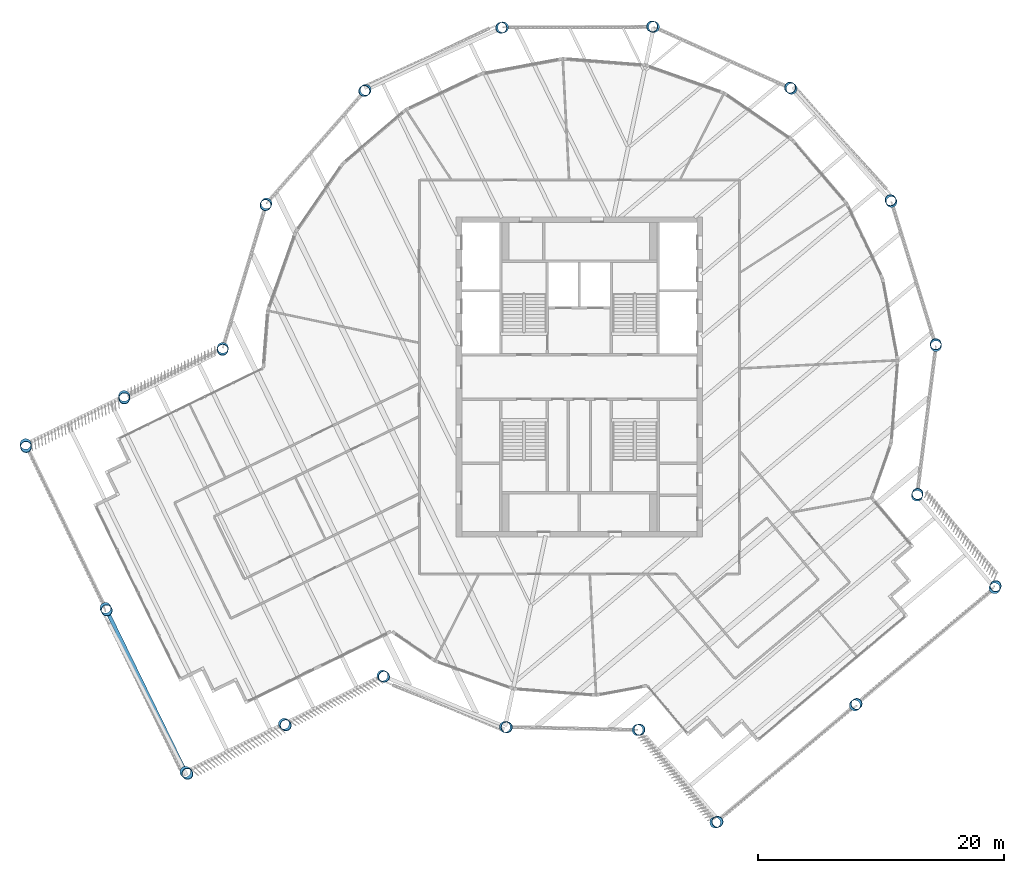
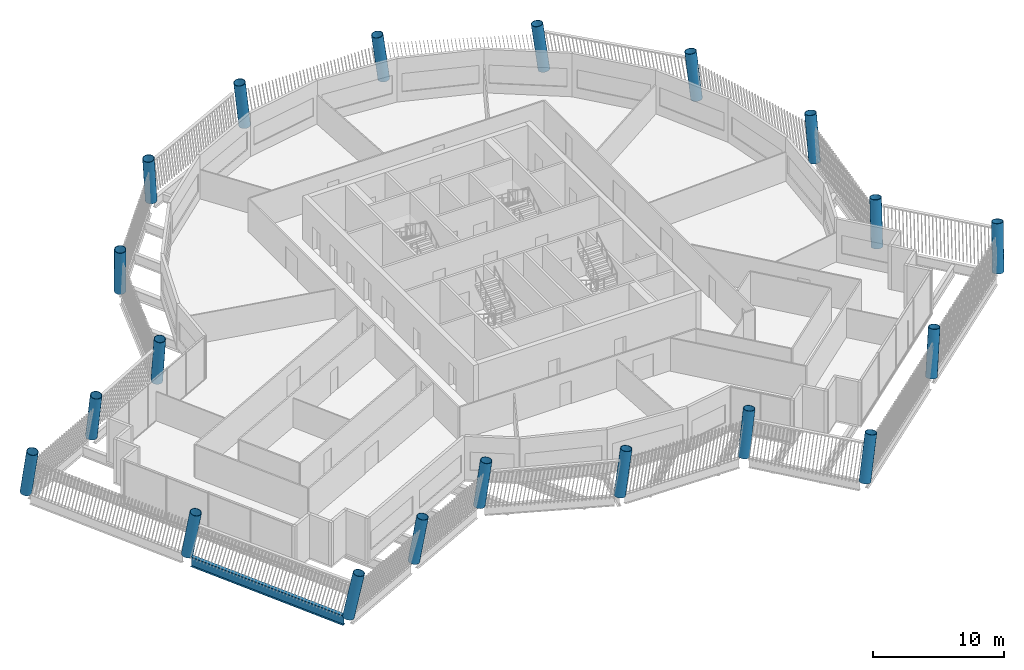
# One storey, part 1 of 31: 20 columns, 1 beam.
"""IFC4 building model written with IfcOpenShell, lengths in metres."""

from ifc_helpers import new_model, si_unit, direction, frame, origin, origin_2d, place, context, subcontext, project, spatial, hollow_circle, i_section, extrude, material, material_profile, profile_set, type_object, element, save


model = new_model("IFC4")

# Units and contexts
model_context = context("Model", 3, precision=1e-05, world=origin(), true_north=direction((0.0, 1.0)))
body_context = subcontext(model_context, "Body", "Model", "MODEL_VIEW")
ifc_project = project(units=[si_unit("LENGTHUNIT", "METRE"), si_unit("AREAUNIT", "SQUARE_METRE"), si_unit("VOLUMEUNIT", "CUBIC_METRE"), si_unit("PLANEANGLEUNIT", "RADIAN"), si_unit("MASSUNIT", "GRAM", prefix="KILO")], contexts=[model_context])

# Site, building, storey
site_placement = place(None, origin())
site = spatial("IfcSite", under=ifc_project, at=site_placement, CompositionType="ELEMENT")
building_placement = place(site_placement, origin())
building = spatial("IfcBuilding", under=site, at=building_placement, Name="Tarsis Ring Headquarters", CompositionType="ELEMENT")
storey_placement = place(building_placement, frame((0.0, 0.0, 390.199951171875)))
storey = spatial("IfcBuildingStorey", under=building, at=storey_placement, Name="L92", CompositionType="ELEMENT", Elevation=390.199951171875)

# Columns
ifc_material = material(Name="Structural steel S355", Category="steel")
ifc_material_profile_1 = material_profile(ifc_material, hollow_circle(Radius=0.45703125, WallThickness=0.0400390625, at=origin_2d()), Name="CHS 914x40")
ifc_profile_set_1 = profile_set([ifc_material_profile_1], Name="Structural steel S355")
column_type = type_object("IfcColumnType", Name="XC Exo column CHS 914x40", PredefinedType="COLUMN", material=ifc_profile_set_1)
for number, where, z_axis, x_axis, name in (
    (1, (-6.039306640625, -28.413818359375, 0.0009765625), (0.122043433809, -0.024754909269, 0.992216002054), (0.19878873519, 0.980042365799, 0.0), "Exo column XC8 F1"),
    (2, (4.7294921875, -28.660888671875, 0.0009765625), (0.122734958494, 0.021407931171, 0.99220856197), (-0.171829801446, 0.985126651418, 0.0), "Exo column XC8 AK"),
):
    element("IfcColumn", number, at=place(storey_placement, frame(where, z_axis=z_axis, x_axis=x_axis)), inside=storey, type_object=column_type, Name=name, PredefinedType="COLUMN", context=body_context, shape_type="SweptSolid", body=[
        extrude(hollow_circle(Radius=0.457275390625, WallThickness=0.0400390625, at=origin_2d()), origin(), (0.0, 0.0, 1.0), 4.23095703125),
    ])
column_1_placement = place(storey_placement, frame((11.03173828125, -36.171630859375, 0.001220703125), z_axis=(0.15383662732, 0.048447057261, 0.98690788564), x_axis=(-0.300381817511, 0.953819041385, 0.0)))
element("IfcColumn", 3, at=column_1_placement, inside=storey, type_object=column_type, Name="Exo column XC8 AT1", PredefinedType="COLUMN", context=body_context, shape_type="SweptSolid", body=[
    extrude(hollow_circle(Radius=0.457275390625, WallThickness=0.0400390625, at=origin_2d()), origin(), (0.0, 0.0, 1.0), 4.253173828125),
])
column_2_placement = place(storey_placement, frame((22.369140625, -26.658203125, 0.001220703125), z_axis=(0.113070475327, 0.096621769354, 0.98887779897), x_axis=(-0.649644200639, 0.760238391938, 0.0)))
element("IfcColumn", 4, at=column_2_placement, inside=storey, type_object=column_type, Name="Exo column XC8 AT2", PredefinedType="COLUMN", context=body_context, shape_type="SweptSolid", body=[
    extrude(hollow_circle(Radius=0.457275390625, WallThickness=0.0400390625, at=origin_2d()), origin(), (0.0, 0.0, 1.0), 4.244873046875),
])
column_3_placement = place(storey_placement, frame((33.70654296875, -17.14501953125, 0.001220703125), z_axis=(0.071809498355, 0.144422620193, 0.986907038541), x_axis=(-0.895421465055, 0.445219496337, 0.0)))
element("IfcColumn", 5, at=column_3_placement, inside=storey, type_object=column_type, Name="Exo column XC8 AT3", PredefinedType="COLUMN", context=body_context, shape_type="SweptSolid", body=[
    extrude(hollow_circle(Radius=0.457275390625, WallThickness=0.0400390625, at=origin_2d()), origin(), (0.0, 0.0, 1.0), 4.253173828125),
])
for number, where, z_axis, x_axis, name in (
    (6, (27.404296875, -9.63427734375, 0.0009765625), (0.040219354426, 0.11788829425, 0.992212050727), (-0.94643620495, 0.322890863852, 0.0), "Exo column XC8 AJ"),
    (7, (28.939208984375, 2.51806640625, 0.0009765625), (-0.011944686702, 0.123947763459, 0.99221684948), (-0.995388629736, -0.095924323257, 0.0), "Exo column XC8 R1"),
    (8, (25.32861328125, 14.22265625, 0.0009765625), (-0.061973767512, 0.10802131544, 0.992215020825), (-0.867386440944, -0.497635169644, 0.0), "Exo column XC8 R2"),
    (9, (17.21435546875, 23.3984375, 0.0009765625), (-0.100981496865, 0.07287978888, 0.992215336338), (-0.585219838035, -0.810874676612, 0.0), "Exo column XC8 R3"),
    (10, (6.039306640625, 28.413818359375, 0.0009765625), (-0.122043433809, 0.024754909269, 0.992216002054), (-0.19878873519, -0.980042365799, 0.0), "Exo column XC8 R4"),
    (11, (-6.20947265625, 28.377197265625, 0.0009765625), (-0.121408508407, -0.027755462236, 0.992214497174), (0.222862543637, -0.974849879029, 0.0), "Exo column XC8 R5"),
    (12, (-17.35400390625, 23.294921875, 0.0009765625), (-0.099249333437, -0.075360249691, 0.992204818865), (0.60473099693, -0.796429796876, 0.0), "Exo column XC8 R6"),
    (13, (-25.413330078125, 14.07080078125, 0.0009765625), (-0.05931926643, -0.109521369343, 0.992212827113), (0.879308134241, -0.476253299262, 0.0), "Exo column XC8 R7"),
    (14, (-28.95361328125, 2.3447265625, 0.0009765625), (-0.008944049155, -0.124235727937, 0.992212420749), (0.997418565263, -0.071806724392, 0.0), "Exo column XC8 BJ"),
):
    element("IfcColumn", number, at=place(storey_placement, frame(where, z_axis=z_axis, x_axis=x_axis)), inside=storey, type_object=column_type, Name=name, PredefinedType="COLUMN", context=body_context, shape_type="SweptSolid", body=[
        extrude(hollow_circle(Radius=0.457275390625, WallThickness=0.0400390625, at=origin_2d()), origin(), (0.0, 0.0, 1.0), 4.23095703125),
    ])
column_4_placement = place(storey_placement, frame((-36.955078125, -1.557861328125, 0.001220703125), z_axis=(0.008098178591, -0.157656030022, 0.987460883125), x_axis=(0.998683365708, 0.051298489823, 0.0)))
element("IfcColumn", 15, at=column_4_placement, inside=storey, type_object=column_type, Name="Exo column XC8 BO1", PredefinedType="COLUMN", context=body_context, shape_type="SweptSolid", body=[
    extrude(hollow_circle(Radius=0.457275390625, WallThickness=0.0400390625, at=origin_2d()), origin(), (0.0, 0.0, 1.0), 4.250732421875),
])
column_5_placement = place(storey_placement, frame((-44.956298828125, -5.46044921875, 0.00146484375), z_axis=(0.024888542698, -0.190431601926, 0.981384922154), x_axis=(0.991567230026, 0.129593319032, 0.0)))
element("IfcColumn", 16, at=column_5_placement, inside=storey, type_object=column_type, Name="Exo column XC8 BT3", PredefinedType="COLUMN", context=body_context, shape_type="SweptSolid", body=[
    extrude(hollow_circle(Radius=0.457275390625, WallThickness=0.0400390625, at=origin_2d()), origin(), (0.0, 0.0, 1.0), 4.27685546875),
])
column_6_placement = place(storey_placement, frame((-38.46826171875, -18.762451171875, 0.00146484375), z_axis=(0.081218345061, -0.162779866228, 0.983313935413), x_axis=(0.894804161878, 0.446458857999, 0.0)))
element("IfcColumn", 17, at=column_6_placement, inside=storey, type_object=column_type, Name="Exo column XC8 BT2", PredefinedType="COLUMN", context=body_context, shape_type="SweptSolid", body=[
    extrude(hollow_circle(Radius=0.457275390625, WallThickness=0.0400390625, at=origin_2d()), origin(), (0.0, 0.0, 1.0), 4.2685546875),
])
column_7_placement = place(storey_placement, frame((-31.980224609375, -32.064697265625, 0.00146484375), z_axis=(0.13717313406, -0.134376012309, 0.98139014597), x_axis=(0.699786026709, 0.714352515795, 0.0)))
element("IfcColumn", 18, at=column_7_placement, inside=storey, type_object=column_type, Name="Exo column XC8 BT1", PredefinedType="COLUMN", context=body_context, shape_type="SweptSolid", body=[
    extrude(hollow_circle(Radius=0.457275390625, WallThickness=0.0400390625, at=origin_2d()), origin(), (0.0, 0.0, 1.0), 4.27685546875),
])
column_8_placement = place(storey_placement, frame((-23.97900390625, -28.162109375, 0.001220703125), z_axis=(0.121071255271, -0.101256462544, 0.987465887988), x_axis=(0.641543521296, 0.767086638055, 0.0)))
element("IfcColumn", 19, at=column_8_placement, inside=storey, type_object=column_type, Name="Exo column XC8 BI1", PredefinedType="COLUMN", context=body_context, shape_type="SweptSolid", body=[
    extrude(hollow_circle(Radius=0.457275390625, WallThickness=0.0400390625, at=origin_2d()), origin(), (0.0, 0.0, 1.0), 4.250732421875),
])
column_9_placement = place(storey_placement, frame((-15.977783203125, -24.259521484375, 0.0009765625), z_axis=(0.104616736525, -0.06757098647, 0.992214442662), x_axis=(0.542559488981, 0.840017381318, 0.0)))
element("IfcColumn", 20, at=column_9_placement, inside=storey, type_object=column_type, Name="Exo column XC8 BK", PredefinedType="COLUMN", context=body_context, shape_type="SweptSolid", body=[
    extrude(hollow_circle(Radius=0.457275390625, WallThickness=0.0400390625, at=origin_2d()), origin(), (0.0, 0.0, 1.0), 4.23095703125),
])

# Beam
ifc_material_profile_2 = material_profile(ifc_material, i_section(OverallWidth=0.3046875, OverallDepth=0.91943359375, WebThickness=0.017333984375, FlangeThickness=0.02783203125, at=origin_2d()), Name="W36x170")
ifc_profile_set_2 = profile_set([ifc_material_profile_2], Name="Structural steel S355")
beam_type = type_object("IfcBeamType", Name="XG Ring girder W36x170", PredefinedType="BEAM", material=ifc_profile_set_2)
beam_placement = place(storey_placement, frame((-38.2880859375, -19.132080078125, -0.459716796875), z_axis=(0.438374419342, -0.898792450161, 0.0), x_axis=(0.898792450161, 0.438374419342, 0.0)))
element("IfcBeam", 21, at=beam_placement, inside=storey, type_object=beam_type, Name="Ring girder XG4", PredefinedType="BEAM", context=body_context, shape_type="SweptSolid", body=[
    extrude(i_section(OverallWidth=0.3046875, OverallDepth=0.91943359375, WebThickness=0.017333984375, FlangeThickness=0.02783203125, at=origin_2d()), origin(), (0.0, 0.0, 1.0), 13.97705078125),
])

save(model, "model.ifc")
